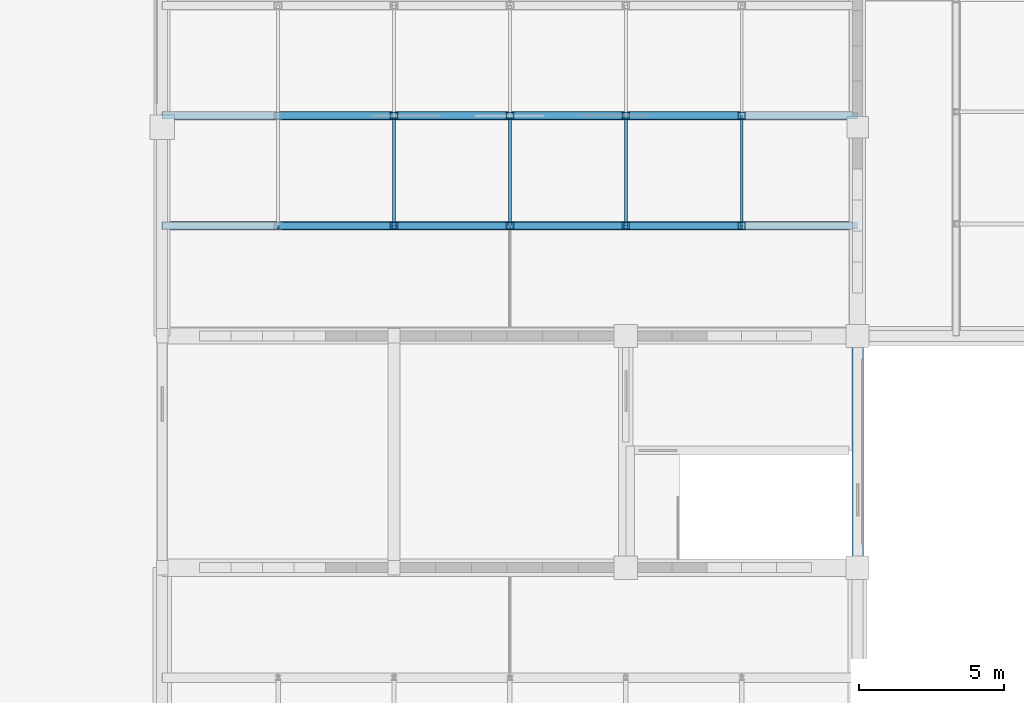
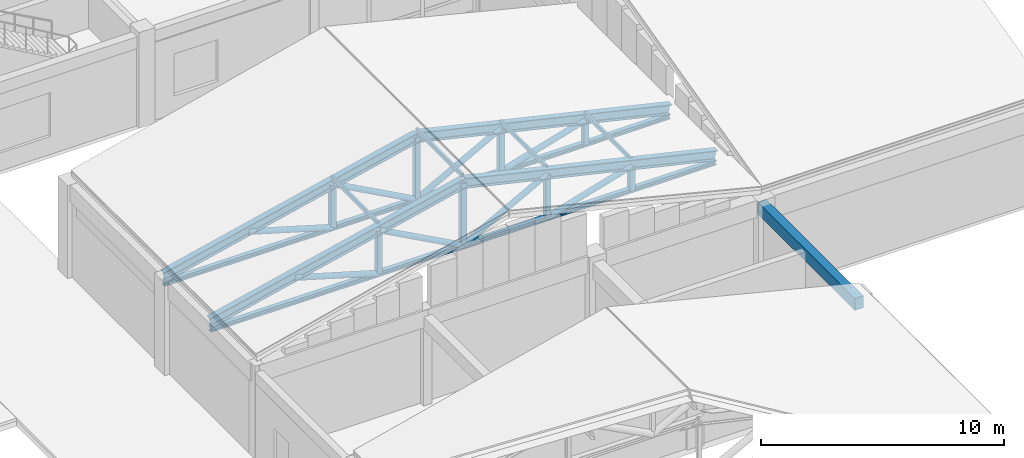
# One storey, part 27 of 61: 26 members, 1 beam.
"""IFC4 building model written with IfcOpenShell, lengths in metres."""

from ifc_helpers import new_model, si_unit, direction, frame, origin, origin_2d, place, context, subcontext, project, spatial, rectangle, hollow_rectangle, hollow_circle, i_section, extrude, material, material_profile, profile_set, type_object, element, save


model = new_model("IFC4")

# Units and contexts
model_context = context("Model", 3, precision=1e-05, world=origin(), true_north=direction((0.0, 1.0)))
body_context = subcontext(model_context, "Body", "Model", "MODEL_VIEW")
ifc_project = project(units=[si_unit("LENGTHUNIT", "METRE"), si_unit("AREAUNIT", "SQUARE_METRE"), si_unit("VOLUMEUNIT", "CUBIC_METRE"), si_unit("PLANEANGLEUNIT", "RADIAN"), si_unit("MASSUNIT", "GRAM", prefix="KILO")], contexts=[model_context])

# Site, building, storey
site_placement = place(None, origin())
site = spatial("IfcSite", under=ifc_project, at=site_placement, CompositionType="ELEMENT")
building_placement = place(site_placement, origin())
building = spatial("IfcBuilding", under=site, at=building_placement, Name="Vellmiral Cinema and Media Centre", CompositionType="ELEMENT")
storey_placement = place(building_placement, frame((0.0, 0.0, 10.800048828125)))
storey = spatial("IfcBuildingStorey", under=building, at=storey_placement, Name="L02", CompositionType="ELEMENT", Elevation=10.800048828125)

# Members
ifc_material_1 = material(Name="Steel S355", Category="steel")
ifc_material_profile_1 = material_profile(ifc_material_1, hollow_rectangle(XDim=0.10009765625, YDim=0.199951171875, WallThickness=0.008056640625, at=origin_2d()), Name="RHS 200x100x8.0")
ifc_profile_set_1 = profile_set([ifc_material_profile_1], Name="Steel S355")
member_type_1 = type_object("IfcMemberType", Name="PRL-RHS200", PredefinedType="PURLIN", material=ifc_profile_set_1)
for number, where, z_axis, x_axis, name in (
    (1, (132.0, 39.800048828125, 6.65966796875), (0.0, 1.0, 0.0), (-1.0, 0.0, 0.0), "Roof Purlin 6.2.1"),
    (2, (136.0, 39.800048828125, 7.65673828125), (0.0, 1.0, 0.0), (-1.0, 0.0, 0.0), "Roof Purlin 6.3.1"),
    (3, (140.0, 39.800048828125, 6.65966796875), (0.0, 1.0, 0.0), (-1.0, 0.0, 0.0), "Roof Purlin 6.4.1"),
    (4, (144.0, 39.800048828125, 5.662353515625), (0.0, 1.0, 0.0), (-1.0, 0.0, 0.0), "Roof Purlin 6.5.1"),
):
    element("IfcMember", number, at=place(storey_placement, frame(where, z_axis=z_axis, x_axis=x_axis)), inside=storey, type_object=member_type_1, Name=name, PredefinedType="PURLIN", context=body_context, shape_type="SweptSolid", body=[
        extrude(hollow_rectangle(XDim=0.10009765625, YDim=0.199951171875, WallThickness=0.008056640625, at=origin_2d()), origin(), (0.0, 0.0, 1.0), 3.800048828125),
    ])

# Beam
ifc_material_2 = material(Name="Concrete C40/50", Category="concrete")
ifc_material_profile_2 = material_profile(ifc_material_2, rectangle(XDim=0.39990234375, YDim=0.60009765625, at=origin_2d()), Name="RC 400x600")
ifc_profile_set_2 = profile_set([ifc_material_profile_2], Name="Concrete C40/50")
beam_type = type_object("IfcBeamType", Name="SPD-RC-400x600", PredefinedType="SPANDREL", material=ifc_profile_set_2)
beam_placement = place(storey_placement, frame((148.0, 28.0, 4.195068359375), z_axis=(0.0, 1.0, 0.0), x_axis=(-1.0, 0.0, 0.0)))
element("IfcBeam", 5, at=beam_placement, inside=storey, type_object=beam_type, Name="Grid Beam L02-Y178", PredefinedType="SPANDREL", context=body_context, shape_type="SweptSolid", body=[
    extrude(rectangle(XDim=0.39990234375, YDim=0.60009765625, at=origin_2d()), origin(), (0.0, 0.0, 1.0), 8.0),
])

# Members
ifc_material_3 = material(Name="Steel S355", Category="steel")
ifc_material_profile_3 = material_profile(ifc_material_3, hollow_circle(Radius=0.136474609375, WallThickness=0.012451171875, at=origin_2d()), Name="CHS 273.0x12.5")
ifc_profile_set_3 = profile_set([ifc_material_profile_3], Name="Steel S355")
member_type_2 = type_object("IfcMemberType", Name="TBR-CHS273", PredefinedType="BRACE", material=ifc_profile_set_3)
member_1_placement = place(storey_placement, frame((128.0, 39.800048828125, 5.3271484375), z_axis=(0.959315139082, 0.0, -0.28233750004), x_axis=(0.0, 1.0, 0.0)))
element("IfcMember", 6, at=member_1_placement, inside=storey, type_object=member_type_2, Name="Roof Truss TR-06.1 Diagonal 2", PredefinedType="BRACE", context=body_context, shape_type="SweptSolid", body=[
    extrude(hollow_circle(Radius=0.136474609375, WallThickness=0.012451171875, at=origin_2d()), origin(), (0.0, 0.0, 1.0), 4.169677734375),
])
for number, where, z_axis, x_axis, name in (
    (7, (132.0, 39.800048828125, 6.324462890625), (0.878564834273, 0.0, -0.477623106621), (0.0, 1.0, 0.0), "Roof Truss TR-06.1 Diagonal 3"),
    (8, (136.0, 39.800048828125, 4.14990234375), (0.878564834273, 0.0, 0.477623106621), (0.0, 1.0, 0.0), "Roof Truss TR-06.1 Diagonal 4"),
):
    element("IfcMember", number, at=place(storey_placement, frame(where, z_axis=z_axis, x_axis=x_axis)), inside=storey, type_object=member_type_2, Name=name, PredefinedType="BRACE", context=body_context, shape_type="SweptSolid", body=[
        extrude(hollow_circle(Radius=0.136474609375, WallThickness=0.012451171875, at=origin_2d()), origin(), (0.0, 0.0, 1.0), 4.552978515625),
    ])
for number, where, z_axis, x_axis, name in (
    (9, (140.0, 39.800048828125, 4.14990234375), (0.959315139082, 0.0, 0.28233750004), (0.0, 1.0, 0.0), "Roof Truss TR-06.1 Diagonal 5"),
    (10, (128.0, 43.60009765625, 5.3271484375), (0.959315139082, 0.0, -0.28233750004), (0.0, 1.0, 0.0), "Roof Truss TR-06.2 Diagonal 2"),
):
    element("IfcMember", number, at=place(storey_placement, frame(where, z_axis=z_axis, x_axis=x_axis)), inside=storey, type_object=member_type_2, Name=name, PredefinedType="BRACE", context=body_context, shape_type="SweptSolid", body=[
        extrude(hollow_circle(Radius=0.136474609375, WallThickness=0.012451171875, at=origin_2d()), origin(), (0.0, 0.0, 1.0), 4.169677734375),
    ])
for number, where, z_axis, x_axis, name in (
    (11, (132.0, 43.60009765625, 6.324462890625), (0.878564834273, 0.0, -0.477623106621), (0.0, 1.0, 0.0), "Roof Truss TR-06.2 Diagonal 3"),
    (12, (136.0, 43.60009765625, 4.14990234375), (0.878564834273, 0.0, 0.477623106621), (0.0, 1.0, 0.0), "Roof Truss TR-06.2 Diagonal 4"),
):
    element("IfcMember", number, at=place(storey_placement, frame(where, z_axis=z_axis, x_axis=x_axis)), inside=storey, type_object=member_type_2, Name=name, PredefinedType="BRACE", context=body_context, shape_type="SweptSolid", body=[
        extrude(hollow_circle(Radius=0.136474609375, WallThickness=0.012451171875, at=origin_2d()), origin(), (0.0, 0.0, 1.0), 4.552978515625),
    ])
member_2_placement = place(storey_placement, frame((140.0, 43.60009765625, 4.14990234375), z_axis=(0.959315139082, 0.0, 0.28233750004), x_axis=(0.0, 1.0, 0.0)))
element("IfcMember", 13, at=member_2_placement, inside=storey, type_object=member_type_2, Name="Roof Truss TR-06.2 Diagonal 5", PredefinedType="BRACE", context=body_context, shape_type="SweptSolid", body=[
    extrude(hollow_circle(Radius=0.136474609375, WallThickness=0.012451171875, at=origin_2d()), origin(), (0.0, 0.0, 1.0), 4.169677734375),
])
ifc_material_4 = material(Name="Steel S355", Category="steel")
ifc_material_profile_4 = material_profile(ifc_material_4, hollow_rectangle(XDim=0.25, YDim=0.25, WallThickness=0.012451171875, at=origin_2d()), Name="SHS 250x250x12.5")
ifc_profile_set_4 = profile_set([ifc_material_profile_4], Name="Steel S355")
member_type_3 = type_object("IfcMemberType", Name="TBR-SHS250", PredefinedType="BRACE", material=ifc_profile_set_4)
member_3_placement = place(storey_placement, frame((132.0, 39.800048828125, 4.14990234375), z_axis=(0.0, 0.0, 1.0), x_axis=(1.0, 0.0, 0.0)))
element("IfcMember", 14, at=member_3_placement, inside=storey, type_object=member_type_3, Name="Roof Truss TR-06.1 Post 2", PredefinedType="BRACE", context=body_context, shape_type="SweptSolid", body=[
    extrude(hollow_rectangle(XDim=0.25, YDim=0.25, WallThickness=0.012451171875, at=origin_2d()), origin(), (0.0, 0.0, 1.0), 2.174560546875),
])
member_4_placement = place(storey_placement, frame((136.0, 39.800048828125, 4.14990234375), z_axis=(0.0, 0.0, 1.0), x_axis=(1.0, 0.0, 0.0)))
element("IfcMember", 15, at=member_4_placement, inside=storey, type_object=member_type_3, Name="Roof Truss TR-06.1 Post 3", PredefinedType="BRACE", context=body_context, shape_type="SweptSolid", body=[
    extrude(hollow_rectangle(XDim=0.25, YDim=0.25, WallThickness=0.012451171875, at=origin_2d()), origin(), (0.0, 0.0, 1.0), 3.171875),
])
member_5_placement = place(storey_placement, frame((140.0, 39.800048828125, 4.14990234375), z_axis=(0.0, 0.0, 1.0), x_axis=(1.0, 0.0, 0.0)))
element("IfcMember", 16, at=member_5_placement, inside=storey, type_object=member_type_3, Name="Roof Truss TR-06.1 Post 4", PredefinedType="BRACE", context=body_context, shape_type="SweptSolid", body=[
    extrude(hollow_rectangle(XDim=0.25, YDim=0.25, WallThickness=0.012451171875, at=origin_2d()), origin(), (0.0, 0.0, 1.0), 2.174560546875),
])
member_6_placement = place(storey_placement, frame((144.0, 39.800048828125, 4.14990234375), z_axis=(0.0, 0.0, 1.0), x_axis=(1.0, 0.0, 0.0)))
element("IfcMember", 17, at=member_6_placement, inside=storey, type_object=member_type_3, Name="Roof Truss TR-06.1 Post 5", PredefinedType="BRACE", context=body_context, shape_type="SweptSolid", body=[
    extrude(hollow_rectangle(XDim=0.25, YDim=0.25, WallThickness=0.012451171875, at=origin_2d()), origin(), (0.0, 0.0, 1.0), 1.17724609375),
])
member_7_placement = place(storey_placement, frame((132.0, 43.60009765625, 4.14990234375), z_axis=(0.0, 0.0, 1.0), x_axis=(1.0, 0.0, 0.0)))
element("IfcMember", 18, at=member_7_placement, inside=storey, type_object=member_type_3, Name="Roof Truss TR-06.2 Post 2", PredefinedType="BRACE", context=body_context, shape_type="SweptSolid", body=[
    extrude(hollow_rectangle(XDim=0.25, YDim=0.25, WallThickness=0.012451171875, at=origin_2d()), origin(), (0.0, 0.0, 1.0), 2.174560546875),
])
member_8_placement = place(storey_placement, frame((136.0, 43.60009765625, 4.14990234375), z_axis=(0.0, 0.0, 1.0), x_axis=(1.0, 0.0, 0.0)))
element("IfcMember", 19, at=member_8_placement, inside=storey, type_object=member_type_3, Name="Roof Truss TR-06.2 Post 3", PredefinedType="BRACE", context=body_context, shape_type="SweptSolid", body=[
    extrude(hollow_rectangle(XDim=0.25, YDim=0.25, WallThickness=0.012451171875, at=origin_2d()), origin(), (0.0, 0.0, 1.0), 3.171875),
])
member_9_placement = place(storey_placement, frame((140.0, 43.60009765625, 4.14990234375), z_axis=(0.0, 0.0, 1.0), x_axis=(1.0, 0.0, 0.0)))
element("IfcMember", 20, at=member_9_placement, inside=storey, type_object=member_type_3, Name="Roof Truss TR-06.2 Post 4", PredefinedType="BRACE", context=body_context, shape_type="SweptSolid", body=[
    extrude(hollow_rectangle(XDim=0.25, YDim=0.25, WallThickness=0.012451171875, at=origin_2d()), origin(), (0.0, 0.0, 1.0), 2.174560546875),
])
member_10_placement = place(storey_placement, frame((144.0, 43.60009765625, 4.14990234375), z_axis=(0.0, 0.0, 1.0), x_axis=(1.0, 0.0, 0.0)))
element("IfcMember", 21, at=member_10_placement, inside=storey, type_object=member_type_3, Name="Roof Truss TR-06.2 Post 5", PredefinedType="BRACE", context=body_context, shape_type="SweptSolid", body=[
    extrude(hollow_rectangle(XDim=0.25, YDim=0.25, WallThickness=0.012451171875, at=origin_2d()), origin(), (0.0, 0.0, 1.0), 1.17724609375),
])
ifc_material_5 = material(Name="Steel S355", Category="steel")
ifc_material_profile_5 = material_profile(ifc_material_5, i_section(OverallWidth=0.300048828125, OverallDepth=0.489990234375, WebThickness=0.011962890625, FlangeThickness=0.02294921875, FilletRadius=0.027099609375, at=origin_2d()), Name="HEA 500")
ifc_profile_set_5 = profile_set([ifc_material_profile_5], Name="Steel S355")
member_type_4 = type_object("IfcMemberType", Name="TCH-HEA500", PredefinedType="CHORD", material=ifc_profile_set_5)
for number, where, z_axis, x_axis, name in (
    (22, (124.0, 39.800048828125, 4.52490234375), (0.973897302282, 0.0, 0.226989084777), (0.0, 1.0, 0.0), "Roof Truss TR-06.1 Top Chord W"),
    (23, (136.0, 39.800048828125, 7.32177734375), (0.973897302282, 0.0, -0.226989084777), (0.0, 1.0, 0.0), "Roof Truss TR-06.1 Top Chord E"),
    (24, (124.0, 43.60009765625, 4.52490234375), (0.973897302282, 0.0, 0.226989084777), (0.0, 1.0, 0.0), "Roof Truss TR-06.2 Top Chord W"),
    (25, (136.0, 43.60009765625, 7.32177734375), (0.973897302282, 0.0, -0.226989084777), (0.0, 1.0, 0.0), "Roof Truss TR-06.2 Top Chord E"),
):
    element("IfcMember", number, at=place(storey_placement, frame(where, z_axis=z_axis, x_axis=x_axis)), inside=storey, type_object=member_type_4, Name=name, PredefinedType="CHORD", context=body_context, shape_type="SweptSolid", body=[
        extrude(i_section(OverallWidth=0.300048828125, OverallDepth=0.489990234375, WebThickness=0.011962890625, FlangeThickness=0.02294921875, FilletRadius=0.027099609375, at=origin_2d()), origin(), (0.0, 0.0, 1.0), 12.321533203125),
    ])
ifc_material_6 = material(Name="Steel S355", Category="steel")
ifc_material_profile_6 = material_profile(ifc_material_6, i_section(OverallWidth=0.219970703125, OverallDepth=0.219970703125, WebThickness=0.009521484375, FlangeThickness=0.01611328125, FilletRadius=0.01806640625, at=origin_2d()), Name="HEB 220")
ifc_profile_set_6 = profile_set([ifc_material_profile_6], Name="Steel S355")
member_type_5 = type_object("IfcMemberType", Name="TCH-HEB220", PredefinedType="CHORD", material=ifc_profile_set_6)
for number, where, z_axis, x_axis, name in (
    (26, (124.0, 39.800048828125, 4.14990234375), (1.0, 0.0, 0.0), (0.0, 1.0, 0.0), "Roof Truss TR-06.1 Bottom Chord"),
    (27, (124.0, 43.60009765625, 4.14990234375), (1.0, 0.0, 0.0), (0.0, 1.0, 0.0), "Roof Truss TR-06.2 Bottom Chord"),
):
    element("IfcMember", number, at=place(storey_placement, frame(where, z_axis=z_axis, x_axis=x_axis)), inside=storey, type_object=member_type_5, Name=name, PredefinedType="CHORD", context=body_context, shape_type="SweptSolid", body=[
        extrude(i_section(OverallWidth=0.219970703125, OverallDepth=0.219970703125, WebThickness=0.009521484375, FlangeThickness=0.01611328125, FilletRadius=0.01806640625, at=origin_2d()), origin(), (0.0, 0.0, 1.0), 24.0),
    ])

save(model, "model.ifc")
